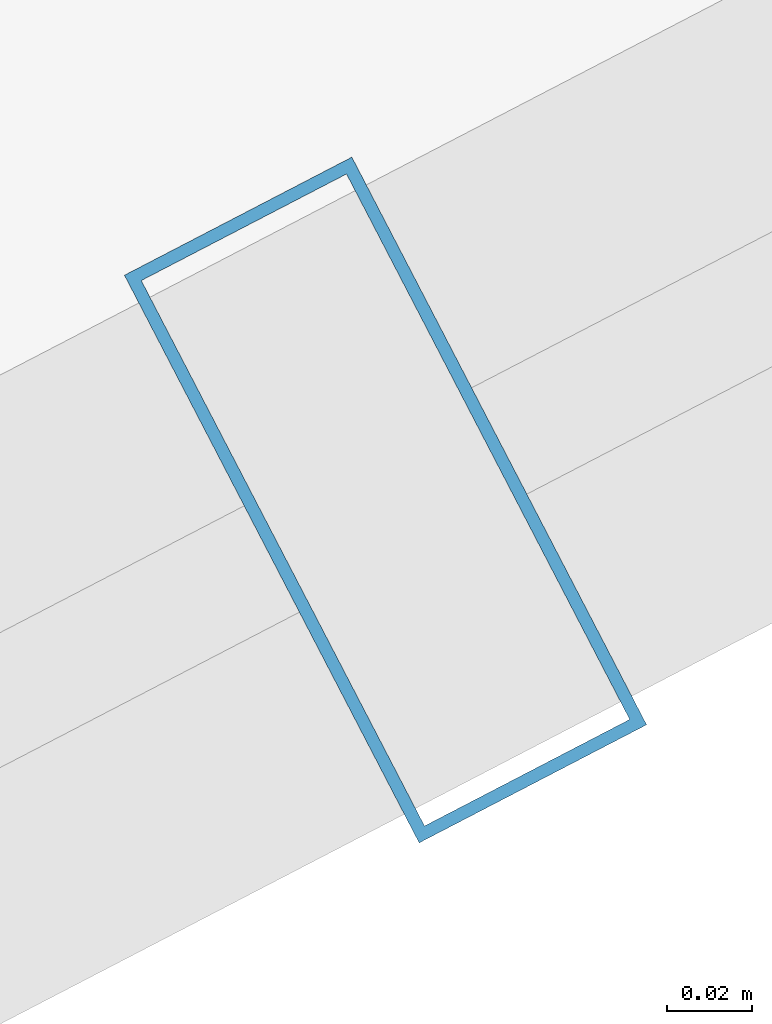
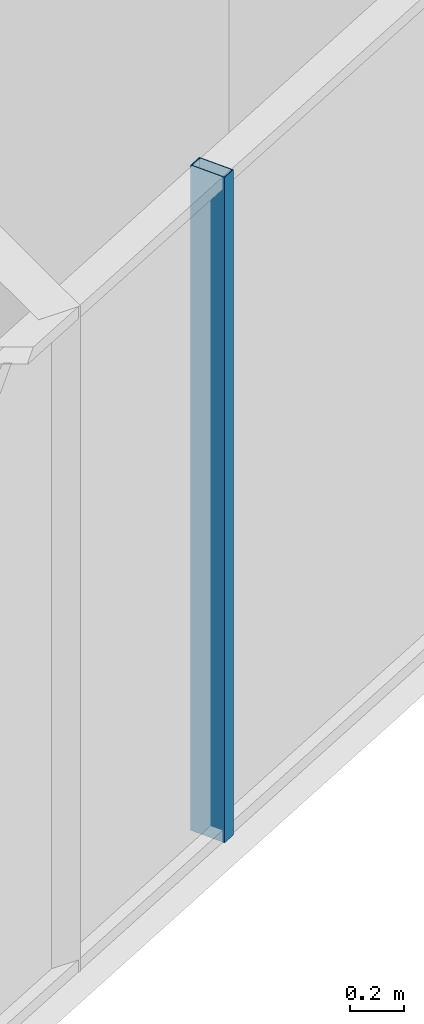
# One storey, part 7 of 29: 1 member, 1 element without a shape of its own.
"""IFC4 building model written with IfcOpenShell, lengths in metres."""

from ifc_helpers import new_model, si_unit, direction, frame, origin, origin_2d, place, context, subcontext, project, spatial, hollow_rectangle, extrude, source, transform, mapped, material, layer, layer_set, material_profile, profile_set, type_object, element, aggregate, save


model = new_model("IFC4")

# Units and contexts
model_context = context("Model", 3, precision=1e-05, world=origin(), true_north=direction((0.0, 1.0)))
body_context = subcontext(model_context, "Body", "Model", "MODEL_VIEW")
ifc_project = project(units=[si_unit("LENGTHUNIT", "METRE"), si_unit("AREAUNIT", "SQUARE_METRE"), si_unit("VOLUMEUNIT", "CUBIC_METRE"), si_unit("PLANEANGLEUNIT", "RADIAN"), si_unit("MASSUNIT", "GRAM", prefix="KILO")], contexts=[model_context])

# Site, building, storey
site_placement = place(None, origin())
site = spatial("IfcSite", under=ifc_project, at=site_placement, CompositionType="ELEMENT")
building_placement = place(site_placement, origin())
building = spatial("IfcBuilding", under=site, at=building_placement, Name="Veraguas Prism Commons", CompositionType="ELEMENT")
storey_placement = place(building_placement, frame((0.0, 0.0, 215.64990234375)))
storey = spatial("IfcBuildingStorey", under=building, at=storey_placement, Name="L61", CompositionType="ELEMENT", Elevation=215.64990234375)

# Curtain wall, member
ifc_material = material(Name="Anodised aluminium EN AW-6063 T6", Category="aluminium")
ifc_layer = layer(ifc_material, 0.14990234375, Name="Unitised Flush Curtain Wall Zone 3", Category="aluminium")
ifc_layer_set = layer_set([ifc_layer], Name="Anodised aluminium EN AW-6063 T6")
curtain_wall_type = type_object("IfcCurtainWallType", Name="Unitised Flush Curtain Wall Zone 3", PredefinedType="NOTDEFINED", material=ifc_layer_set)
curtain_wall_placement = place(storey_placement, origin())
curtain_wall = element("IfcCurtainWall", 1, at=curtain_wall_placement, inside=storey, type_object=curtain_wall_type, Name="Tower Facade Curtain Wall L61-F5", PredefinedType="NOTDEFINED")
ifc_material_profile = material_profile(ifc_material, hollow_rectangle(XDim=0.06005859375, YDim=0.14990234375, WallThickness=0.0029296875, at=origin_2d()), Name="AL60X150X3")
ifc_profile_set = profile_set([ifc_material_profile], Name="Anodised aluminium EN AW-6063 T6")
member_type = type_object("IfcMemberType", Name="Curtain Wall Mullion Upper AL 60x150x3", PredefinedType="MULLION", material=ifc_profile_set)
shared_shape = source(origin(), body_context, "Body", "SweptSolid", [
    extrude(hollow_rectangle(XDim=0.06005859375, YDim=0.14990234375, WallThickness=0.0029296875, at=origin_2d()), origin(), (0.0, 0.0, 1.0), 3.01513671875),
])
member_placement = place(storey_placement, frame((32.1611328125, 8.2822265625, 0.0), z_axis=(0.0, 0.0, 1.0), x_axis=(0.887493888749, 0.46081948465, 0.0)))
member = element("IfcMember", 2, at=member_placement, type_object=member_type, Name="CW-Z3 Mullion 3", PredefinedType="MULLION", context=body_context, shape_type="MappedRepresentation", body=[
    mapped(shared_shape, transform((0.0, 0.0, 0.0), scale=1.0)),
])
aggregate(curtain_wall, [member])

save(model, "model.ifc")
